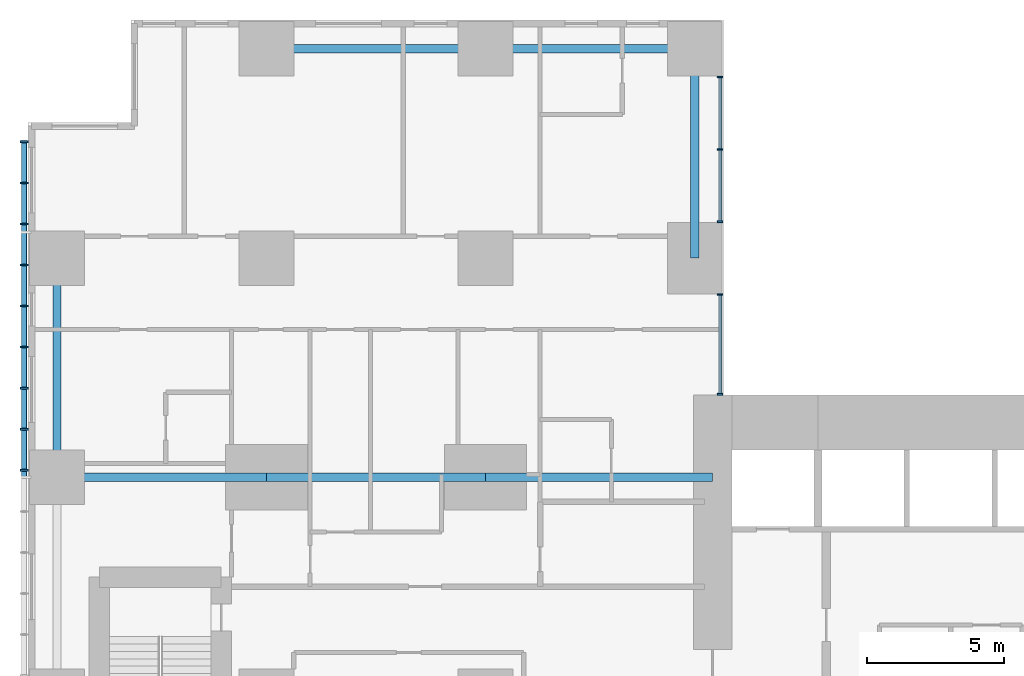
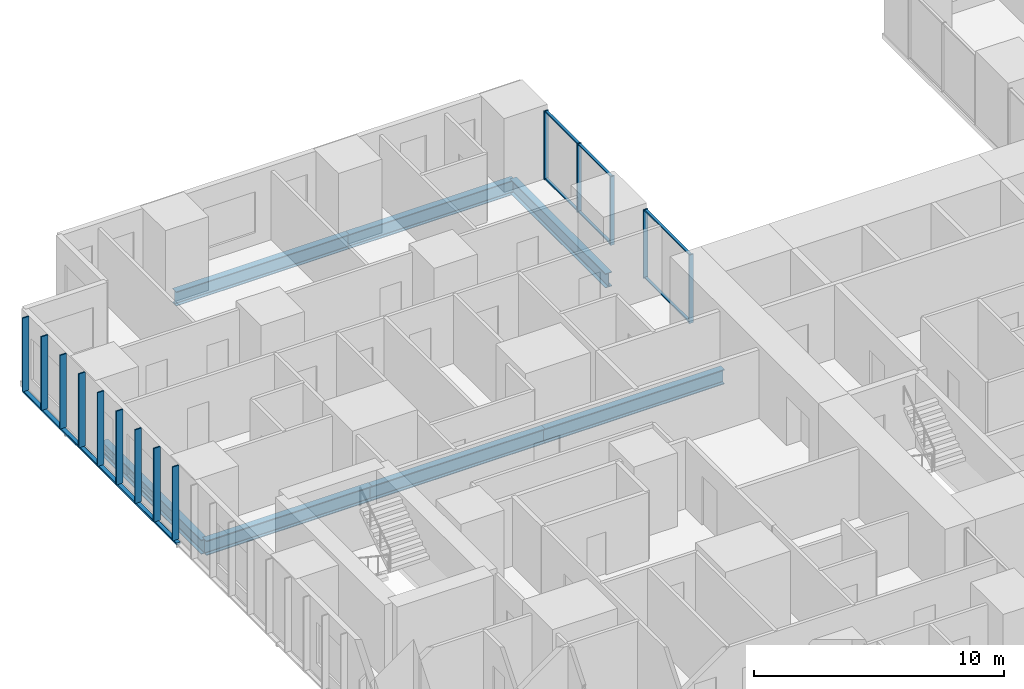
# One storey, part 4 of 20: 21 members, 7 beams, 2 elements without a shape of their own.
"""IFC4 building model written with IfcOpenShell, lengths in metres."""

from ifc_helpers import new_model, si_unit, direction, frame, origin, origin_2d, place, context, subcontext, project, spatial, rectangle, hollow_rectangle, i_section, extrude, material, layer, layer_set, material_profile, profile_set, type_object, element, aggregate, save


model = new_model("IFC4")

# Units and contexts
model_context = context("Model", 3, precision=1e-05, world=origin(), true_north=direction((0.0, 1.0)))
body_context = subcontext(model_context, "Body", "Model", "MODEL_VIEW")
ifc_project = project(units=[si_unit("LENGTHUNIT", "METRE"), si_unit("AREAUNIT", "SQUARE_METRE"), si_unit("VOLUMEUNIT", "CUBIC_METRE"), si_unit("PLANEANGLEUNIT", "RADIAN"), si_unit("MASSUNIT", "GRAM", prefix="KILO")], contexts=[model_context])

# Site, building, storey
site_placement = place(None, origin())
site = spatial("IfcSite", under=ifc_project, at=site_placement, CompositionType="ELEMENT")
building_placement = place(site_placement, origin())
building = spatial("IfcBuilding", under=site, at=building_placement, Name="Cleftline Residences", CompositionType="ELEMENT")
storey_placement = place(building_placement, frame((0.0, 0.0, 44.0)))
storey = spatial("IfcBuildingStorey", under=building, at=storey_placement, Name="L10", CompositionType="ELEMENT", Elevation=44.0)

# Member
ifc_material_1 = material(Name="Steel S355, hot-dip galvanised", Category="steel")
ifc_material_profile_1 = material_profile(ifc_material_1, hollow_rectangle(XDim=0.10009765625, YDim=0.199951171875, WallThickness=0.008056640625, InnerFilletRadius=0.008056640625, OuterFilletRadius=0.011962890625, at=origin_2d()))
ifc_profile_set_1 = profile_set([ifc_material_profile_1], Name="Steel S355, hot-dip galvanised")
member_type_1 = type_object("IfcMemberType", Name="BAGUETTE CARRIER RHS 200X100X8", PredefinedType="USERDEFINED", material=ifc_profile_set_1)
member_1_placement = place(storey_placement, frame((-0.85009765625, 44.300048828125, -0.050048828125), z_axis=(0.0, -1.0, 0.0), x_axis=(0.0, 0.0, 1.0)))
element("IfcMember", 1, at=member_1_placement, inside=storey, type_object=member_type_1, Name="Baguette carrier", ObjectType="BAGUETTE CARRIER", PredefinedType="USERDEFINED", context=body_context, shape_type="SweptSolid", body=[
    extrude(hollow_rectangle(XDim=0.10009765625, YDim=0.199951171875, WallThickness=0.008056640625, InnerFilletRadius=0.008056640625, OuterFilletRadius=0.011962890625, at=origin_2d()), origin(), (0.0, 0.0, 1.0), 12.300048828125),
])

# Beams
ifc_material_2 = material(Name="Steel S355", Category="steel")
ifc_material_profile_2 = material_profile(ifc_material_2, i_section(OverallWidth=0.300048828125, OverallDepth=0.699951171875, WebThickness=0.01708984375, FlangeThickness=0.031982421875, FilletRadius=0.027099609375, at=origin_2d()))
ifc_profile_set_2 = profile_set([ifc_material_profile_2], Name="Steel S355")
beam_type_1 = type_object("IfcBeamType", Name="BEAM HEB 700", PredefinedType="BEAM", material=ifc_profile_set_2)
for number, where, z_axis, x_axis, name in (
    (2, (0.35009765625, 32.0, -0.60009765625), (0.0, 1.0, 0.0), (-1.0, 0.0, 0.0), "Edge beam"),
    (3, (8.0, 47.64990234375, -0.60009765625), (1.0, 0.0, 0.0), (0.0, 1.0, 0.0), "Edge beam"),
):
    element("IfcBeam", number, at=place(storey_placement, frame(where, z_axis=z_axis, x_axis=x_axis)), inside=storey, type_object=beam_type_1, Name=name, PredefinedType="BEAM", context=body_context, shape_type="SweptSolid", body=[
        extrude(i_section(OverallWidth=0.300048828125, OverallDepth=0.699951171875, WebThickness=0.01708984375, FlangeThickness=0.031982421875, FilletRadius=0.027099609375, at=origin_2d()), origin(), (0.0, 0.0, 1.0), 8.0),
    ])
for number, where, z_axis, x_axis, name in (
    (4, (16.0, 47.64990234375, -0.60009765625), (1.0, 0.0, 0.0), (0.0, 1.0, 0.0), "Edge beam"),
    (5, (23.64990234375, 47.64990234375, -0.60009765625), (0.0, -1.0, 0.0), (1.0, 0.0, 0.0), "Edge beam"),
):
    element("IfcBeam", number, at=place(storey_placement, frame(where, z_axis=z_axis, x_axis=x_axis)), inside=storey, type_object=beam_type_1, Name=name, PredefinedType="BEAM", context=body_context, shape_type="SweptSolid", body=[
        extrude(i_section(OverallWidth=0.300048828125, OverallDepth=0.699951171875, WebThickness=0.01708984375, FlangeThickness=0.031982421875, FilletRadius=0.027099609375, at=origin_2d()), origin(), (0.0, 0.0, 1.0), 7.64990234375),
    ])
ifc_material_3 = material(Name="Steel S355", Category="steel")
ifc_material_profile_3 = material_profile(ifc_material_3, i_section(OverallWidth=0.303955078125, OverallDepth=0.716064453125, WebThickness=0.02099609375, FlangeThickness=0.0400390625, FilletRadius=0.027099609375, at=origin_2d()))
ifc_profile_set_3 = profile_set([ifc_material_profile_3], Name="Steel S355")
beam_type_2 = type_object("IfcBeamType", Name="BEAM HEM 700", PredefinedType="BEAM", material=ifc_profile_set_3)
beam_1_placement = place(storey_placement, frame((0.35009765625, 32.0, -0.60791015625), z_axis=(1.0, 0.0, 0.0), x_axis=(0.0, 1.0, 0.0)))
element("IfcBeam", 6, at=beam_1_placement, inside=storey, type_object=beam_type_2, Name="Band beam", PredefinedType="BEAM", context=body_context, shape_type="SweptSolid", body=[
    extrude(i_section(OverallWidth=0.303955078125, OverallDepth=0.716064453125, WebThickness=0.02099609375, FlangeThickness=0.0400390625, FilletRadius=0.027099609375, at=origin_2d()), origin(), (0.0, 0.0, 1.0), 7.64990234375),
])
beam_2_placement = place(storey_placement, frame((8.0, 32.0, -0.60791015625), z_axis=(1.0, 0.0, 0.0), x_axis=(0.0, 1.0, 0.0)))
element("IfcBeam", 7, at=beam_2_placement, inside=storey, type_object=beam_type_2, Name="Band beam", PredefinedType="BEAM", context=body_context, shape_type="SweptSolid", body=[
    extrude(i_section(OverallWidth=0.303955078125, OverallDepth=0.716064453125, WebThickness=0.02099609375, FlangeThickness=0.0400390625, FilletRadius=0.027099609375, at=origin_2d()), origin(), (0.0, 0.0, 1.0), 8.0),
])
beam_3_placement = place(storey_placement, frame((16.0, 32.0, -0.60791015625), z_axis=(1.0, 0.0, 0.0), x_axis=(0.0, 1.0, 0.0)))
element("IfcBeam", 8, at=beam_3_placement, inside=storey, type_object=beam_type_2, Name="Band beam", PredefinedType="BEAM", context=body_context, shape_type="SweptSolid", body=[
    extrude(i_section(OverallWidth=0.303955078125, OverallDepth=0.716064453125, WebThickness=0.02099609375, FlangeThickness=0.0400390625, FilletRadius=0.027099609375, at=origin_2d()), origin(), (0.0, 0.0, 1.0), 8.300048828125),
])

# Curtain wall, members
ifc_material_4 = material(Name="Aluminium framed curtain wall", Category="aluminium")
ifc_layer = layer(ifc_material_4, 0.199951171875)
ifc_layer_set = layer_set([ifc_layer], Name="CW1 CLEFT GLAZING")
curtain_wall_type = type_object("IfcCurtainWallType", Name="CW1 CLEFT GLAZING", PredefinedType="NOTDEFINED", material=ifc_layer_set)
curtain_wall_1_placement = place(storey_placement, origin())
curtain_wall_1 = element("IfcCurtainWall", 9, at=curtain_wall_1_placement, inside=storey, type_object=curtain_wall_type, Name="Curtain wall CW1", PredefinedType="NOTDEFINED")
ifc_material_5 = material(Name="Aluminium mullion", Category="aluminium")
ifc_material_profile_4 = material_profile(ifc_material_5, rectangle(XDim=0.199951171875, YDim=0.06005859375, at=origin_2d()))
ifc_profile_set_4 = profile_set([ifc_material_profile_4], Name="Aluminium mullion")
member_type_2 = type_object("IfcMemberType", Name="CW1 MULLION", PredefinedType="MULLION", material=ifc_profile_set_4)
member_2_placement = place(storey_placement, frame((24.574951171875, 35.030029296875, 0.0), z_axis=(0.0, 0.0, 1.0), x_axis=(-1.0, 0.0, 0.0)))
member_2 = element("IfcMember", 10, at=member_2_placement, type_object=member_type_2, Name="CW1 mullion 1", PredefinedType="MULLION", context=body_context, shape_type="SweptSolid", body=[
    extrude(rectangle(XDim=0.199951171875, YDim=0.06005859375, at=origin_2d()), origin(), (0.0, 0.0, 1.0), 3.35009765625),
])
member_3_placement = place(storey_placement, frame((24.574951171875, 38.669921875, 0.0), z_axis=(0.0, 0.0, 1.0), x_axis=(-1.0, 0.0, 0.0)))
member_3 = element("IfcMember", 11, at=member_3_placement, type_object=member_type_2, Name="CW1 mullion 2", PredefinedType="MULLION", context=body_context, shape_type="SweptSolid", body=[
    extrude(rectangle(XDim=0.199951171875, YDim=0.06005859375, at=origin_2d()), origin(), (0.0, 0.0, 1.0), 3.35009765625),
])

curtain_wall_2_placement = place(storey_placement, origin())
curtain_wall_2 = element("IfcCurtainWall", 12, at=curtain_wall_2_placement, inside=storey, type_object=curtain_wall_type, Name="Curtain wall CW1", PredefinedType="NOTDEFINED")
member_4_placement = place(storey_placement, frame((24.574951171875, 41.330078125, 0.0), z_axis=(0.0, 0.0, 1.0), x_axis=(-1.0, 0.0, 0.0)))
member_4 = element("IfcMember", 13, at=member_4_placement, type_object=member_type_2, Name="CW1 mullion 1", PredefinedType="MULLION", context=body_context, shape_type="SweptSolid", body=[
    extrude(rectangle(XDim=0.199951171875, YDim=0.06005859375, at=origin_2d()), origin(), (0.0, 0.0, 1.0), 3.35009765625),
])
member_5_placement = place(storey_placement, frame((24.574951171875, 43.97509765625, 0.0), z_axis=(0.0, 0.0, 1.0), x_axis=(-1.0, 0.0, 0.0)))
member_5 = element("IfcMember", 14, at=member_5_placement, type_object=member_type_2, Name="CW1 mullion 2", PredefinedType="MULLION", context=body_context, shape_type="SweptSolid", body=[
    extrude(rectangle(XDim=0.199951171875, YDim=0.06005859375, at=origin_2d()), origin(), (0.0, 0.0, 1.0), 3.35009765625),
])
member_6_placement = place(storey_placement, frame((24.574951171875, 46.6201171875, 0.0), z_axis=(0.0, 0.0, 1.0), x_axis=(-1.0, 0.0, 0.0)))
member_6 = element("IfcMember", 15, at=member_6_placement, type_object=member_type_2, Name="CW1 mullion 3", PredefinedType="MULLION", context=body_context, shape_type="SweptSolid", body=[
    extrude(rectangle(XDim=0.199951171875, YDim=0.06005859375, at=origin_2d()), origin(), (0.0, 0.0, 1.0), 3.35009765625),
])

# Member
ifc_material_6 = material(Name="Aluminium transom", Category="aluminium")
ifc_material_profile_5 = material_profile(ifc_material_6, rectangle(XDim=0.1201171875, YDim=0.06005859375, at=origin_2d()))
ifc_profile_set_5 = profile_set([ifc_material_profile_5], Name="Aluminium transom")
member_type_3 = type_object("IfcMemberType", Name="CW1 TRANSOM", PredefinedType="USERDEFINED", material=ifc_profile_set_5)
member_7_placement = place(storey_placement, frame((24.574951171875, 35.06005859375, 0.030029296875), z_axis=(0.0, 1.0, 0.0), x_axis=(-1.0, 0.0, 0.0)))
member_7 = element("IfcMember", 16, at=member_7_placement, type_object=member_type_3, Name="CW1 transom 1.1", ObjectType="TRANSOM", PredefinedType="USERDEFINED", context=body_context, shape_type="SweptSolid", body=[
    extrude(rectangle(XDim=0.1201171875, YDim=0.06005859375, at=origin_2d()), origin(), (0.0, 0.0, 1.0), 3.579833984375),
])

member_8_placement = place(storey_placement, frame((24.574951171875, 35.06005859375, 3.320068359375), z_axis=(0.0, 1.0, 0.0), x_axis=(-1.0, 0.0, 0.0)))
member_8 = element("IfcMember", 17, at=member_8_placement, type_object=member_type_3, Name="CW1 transom 1.2", ObjectType="TRANSOM", PredefinedType="USERDEFINED", context=body_context, shape_type="SweptSolid", body=[
    extrude(rectangle(XDim=0.1201171875, YDim=0.06005859375, at=origin_2d()), origin(), (0.0, 0.0, 1.0), 3.579833984375),
])

aggregate(curtain_wall_1, [member_2, member_3, member_7, member_8])

member_9_placement = place(storey_placement, frame((24.574951171875, 41.360107421875, 0.030029296875), z_axis=(0.0, 1.0, 0.0), x_axis=(-1.0, 0.0, 0.0)))
member_9 = element("IfcMember", 18, at=member_9_placement, type_object=member_type_3, Name="CW1 transom 1.1", ObjectType="TRANSOM", PredefinedType="USERDEFINED", context=body_context, shape_type="SweptSolid", body=[
    extrude(rectangle(XDim=0.1201171875, YDim=0.06005859375, at=origin_2d()), origin(), (0.0, 0.0, 1.0), 2.5849609375),
])

member_10_placement = place(storey_placement, frame((24.574951171875, 41.360107421875, 3.320068359375), z_axis=(0.0, 1.0, 0.0), x_axis=(-1.0, 0.0, 0.0)))
member_10 = element("IfcMember", 19, at=member_10_placement, type_object=member_type_3, Name="CW1 transom 1.2", ObjectType="TRANSOM", PredefinedType="USERDEFINED", context=body_context, shape_type="SweptSolid", body=[
    extrude(rectangle(XDim=0.1201171875, YDim=0.06005859375, at=origin_2d()), origin(), (0.0, 0.0, 1.0), 2.5849609375),
])

member_11_placement = place(storey_placement, frame((24.574951171875, 44.0048828125, 0.030029296875), z_axis=(0.0, 1.0, 0.0), x_axis=(-1.0, 0.0, 0.0)))
member_11 = element("IfcMember", 20, at=member_11_placement, type_object=member_type_3, Name="CW1 transom 2.1", ObjectType="TRANSOM", PredefinedType="USERDEFINED", context=body_context, shape_type="SweptSolid", body=[
    extrude(rectangle(XDim=0.1201171875, YDim=0.06005859375, at=origin_2d()), origin(), (0.0, 0.0, 1.0), 2.585205078125),
])

member_12_placement = place(storey_placement, frame((24.574951171875, 44.0048828125, 3.320068359375), z_axis=(0.0, 1.0, 0.0), x_axis=(-1.0, 0.0, 0.0)))
member_12 = element("IfcMember", 21, at=member_12_placement, type_object=member_type_3, Name="CW1 transom 2.2", ObjectType="TRANSOM", PredefinedType="USERDEFINED", context=body_context, shape_type="SweptSolid", body=[
    extrude(rectangle(XDim=0.1201171875, YDim=0.06005859375, at=origin_2d()), origin(), (0.0, 0.0, 1.0), 2.585205078125),
])

aggregate(curtain_wall_2, [member_4, member_5, member_6, member_9, member_10, member_11, member_12])

# Members
ifc_material_7 = material(Name="Extruded terracotta", Category="masonry")
ifc_material_profile_6 = material_profile(ifc_material_7, rectangle(XDim=0.06005859375, YDim=0.300048828125, at=origin_2d()))
ifc_profile_set_6 = profile_set([ifc_material_profile_6], Name="Extruded terracotta")
member_type_4 = type_object("IfcMemberType", Name="TERRACOTTA BAGUETTE 60X300", PredefinedType="USERDEFINED", material=ifc_profile_set_6)
for number, where, z_axis, x_axis, name in (
    (22, (-0.85009765625, 44.25, 0.0), (0.0, 0.0, 1.0), (0.0, 1.0, 0.0), "Terracotta baguette"),
    (23, (-0.85009765625, 42.75, 0.0), (0.0, 0.0, 1.0), (0.0, 1.0, 0.0), "Terracotta baguette"),
    (24, (-0.85009765625, 41.25, 0.0), (0.0, 0.0, 1.0), (0.0, 1.0, 0.0), "Terracotta baguette"),
    (25, (-0.85009765625, 39.75, 0.0), (0.0, 0.0, 1.0), (0.0, 1.0, 0.0), "Terracotta baguette"),
    (26, (-0.85009765625, 38.25, 0.0), (0.0, 0.0, 1.0), (0.0, 1.0, 0.0), "Terracotta baguette"),
    (27, (-0.85009765625, 36.75, 0.0), (0.0, 0.0, 1.0), (0.0, 1.0, 0.0), "Terracotta baguette"),
    (28, (-0.85009765625, 35.25, 0.0), (0.0, 0.0, 1.0), (0.0, 1.0, 0.0), "Terracotta baguette"),
    (29, (-0.85009765625, 33.75, 0.0), (0.0, 0.0, 1.0), (0.0, 1.0, 0.0), "Terracotta baguette"),
    (30, (-0.85009765625, 32.25, 0.0), (0.0, 0.0, 1.0), (0.0, 1.0, 0.0), "Terracotta baguette"),
):
    element("IfcMember", number, at=place(storey_placement, frame(where, z_axis=z_axis, x_axis=x_axis)), inside=storey, type_object=member_type_4, Name=name, ObjectType="BAGUETTE", PredefinedType="USERDEFINED", context=body_context, shape_type="SweptSolid", body=[
        extrude(rectangle(XDim=0.06005859375, YDim=0.300048828125, at=origin_2d()), origin(), (0.0, 0.0, 1.0), 3.60009765625),
    ])

save(model, "model.ifc")
